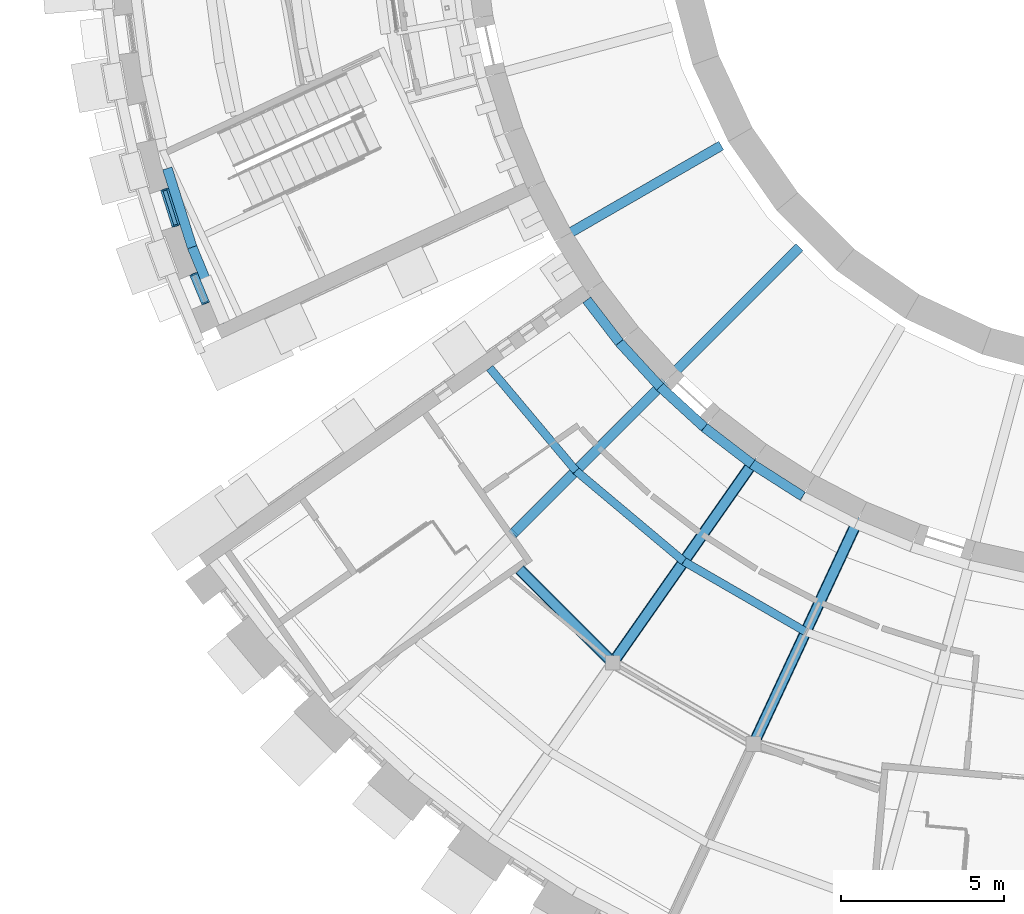
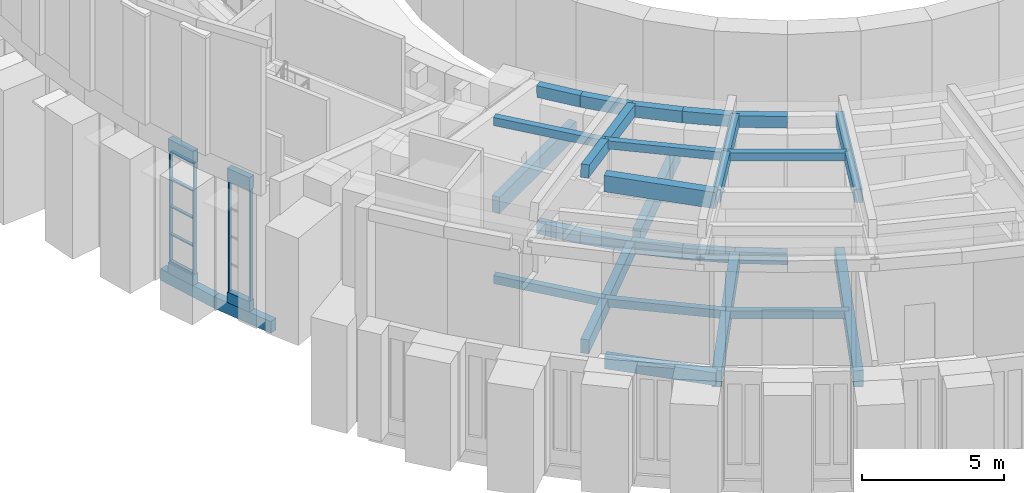
# One storey, part 4 of 66: 32 beams, 9 members, 2 elements without a shape of their own.
"""IFC4 building model written with IfcOpenShell, lengths in metres."""

from ifc_helpers import new_model, si_unit, direction, frame, origin, origin_2d, place, context, subcontext, project, spatial, rectangle, extrude, material, layer, layer_set, material_profile, profile_set, type_object, element, aggregate, save


model = new_model("IFC4")

# Units and contexts
model_context = context("Model", 3, precision=1e-05, world=origin(), true_north=direction((0.0, 1.0)))
body_context = subcontext(model_context, "Body", "Model", "MODEL_VIEW")
ifc_project = project(units=[si_unit("LENGTHUNIT", "METRE"), si_unit("AREAUNIT", "SQUARE_METRE"), si_unit("VOLUMEUNIT", "CUBIC_METRE"), si_unit("PLANEANGLEUNIT", "RADIAN"), si_unit("MASSUNIT", "GRAM", prefix="KILO")], contexts=[model_context])

# Site, building, storey
site_placement = place(None, origin())
site = spatial("IfcSite", under=ifc_project, at=site_placement, CompositionType="ELEMENT")
building_placement = place(site_placement, origin())
building = spatial("IfcBuilding", under=site, at=building_placement, Name="Volute Hill Aquarium", CompositionType="ELEMENT")
storey_placement = place(building_placement, frame((0.0, 0.0, 4.60009765625)))
storey = spatial("IfcBuildingStorey", under=building, at=storey_placement, Name="L02", CompositionType="ELEMENT", Elevation=4.60009765625)

# Beams
ifc_material_1 = material(Name="Concrete C35/45", Category="concrete")
ifc_material_profile_1 = material_profile(ifc_material_1, rectangle(XDim=0.300048828125, YDim=0.550048828125, at=origin_2d()), Name="RC beam 300x550")
ifc_profile_set_1 = profile_set([ifc_material_profile_1], Name="Concrete C35/45")
beam_type_1 = type_object("IfcBeamType", Name="Beam 300x550 C35/45", PredefinedType="BEAM", material=ifc_profile_set_1)
beam_1_placement = place(storey_placement, frame((-19.26318359375, -20.568603515625, -0.53515625), z_axis=(0.707076589398, -0.707136971686, 0.0), x_axis=(0.707136971686, 0.707076589398, 0.0)))
element("IfcBeam", 1, at=beam_1_placement, inside=storey, type_object=beam_type_1, Name="bm/S2/L02/ring1.9", PredefinedType="BEAM", context=body_context, shape_type="SweptSolid", body=[
    extrude(rectangle(XDim=0.300048828125, YDim=0.550048828125, at=origin_2d()), origin(), (0.0, 0.0, 1.0), 4.043212890625),
])
ifc_material_2 = material(Name="Concrete C35/45", Category="concrete")
ifc_material_profile_2 = material_profile(ifc_material_2, rectangle(XDim=0.300048828125, YDim=0.60009765625, at=origin_2d()), Name="RC beam 300x600")
ifc_profile_set_2 = profile_set([ifc_material_profile_2], Name="Concrete C35/45")
beam_type_2 = type_object("IfcBeamType", Name="Beam 300x600 C35/45", PredefinedType="BEAM", material=ifc_profile_set_2)
beam_2_placement = place(storey_placement, frame((-14.84912109375, -14.84912109375, -0.56005859375), z_axis=(-0.707106781187, -0.707106781187, 0.0), x_axis=(0.707106781187, -0.707106781187, 0.0)))
element("IfcBeam", 2, at=beam_2_placement, inside=storey, type_object=beam_type_2, Name="bm/S2/L02/rad1.1", PredefinedType="BEAM", context=body_context, shape_type="SweptSolid", body=[
    extrude(rectangle(XDim=0.300048828125, YDim=0.60009765625, at=origin_2d()), origin(), (0.0, 0.0, 1.0), 6.518310546875),
])
ifc_material_3 = material(Name="Concrete C35/45", Category="concrete")
ifc_material_profile_3 = material_profile(ifc_material_3, rectangle(XDim=0.35009765625, YDim=0.699951171875, at=origin_2d()), Name="RC beam 350x700")
ifc_profile_set_3 = profile_set([ifc_material_profile_3], Name="Concrete C35/45")
beam_type_3 = type_object("IfcBeamType", Name="Beam 350x700 C35/45", PredefinedType="BEAM", material=ifc_profile_set_3)
for number, where, z_axis, x_axis, name in (
    (3, (-12.045166015625, -17.2021484375, -0.610107421875), (-0.573570137327, -0.819156454877, 0.0), (0.819156454877, -0.573570137327, 0.0), "bm/S2/L02/rad2.3"),
    (4, (-8.875, -19.032470703125, -0.610107421875), (-0.422619898755, -0.906307023683, 0.0), (0.906307023683, -0.422619898755, 0.0), "bm/S2/L02/rad3.5"),
):
    element("IfcBeam", number, at=place(storey_placement, frame(where, z_axis=z_axis, x_axis=x_axis)), inside=storey, type_object=beam_type_3, Name=name, PredefinedType="BEAM", context=body_context, shape_type="SweptSolid", body=[
        extrude(rectangle(XDim=0.35009765625, YDim=0.699951171875, at=origin_2d()), origin(), (0.0, 0.0, 1.0), 7.60009765625),
    ])
beam_3_placement = place(storey_placement, frame((-19.26318359375, -20.568603515625, 7.1455078125), z_axis=(0.707076589398, -0.707136971686, 0.0), x_axis=(0.707136971686, 0.707076589398, 0.0)))
element("IfcBeam", 5, at=beam_3_placement, inside=storey, type_object=beam_type_3, Name="rb/S2/L02/ring1.9", PredefinedType="BEAM", context=body_context, shape_type="SweptSolid", body=[
    extrude(rectangle(XDim=0.35009765625, YDim=0.699951171875, at=origin_2d()), origin(), (0.0, 0.0, 1.0), 4.043212890625),
])

# Curtain wall, members
ifc_material_4 = material(Name="Aluminium", Category="aluminium")
ifc_layer_1 = layer(ifc_material_4, 0.25)
ifc_layer_set_1 = layer_set([ifc_layer_1], Name="Curtain wall niche S1 module 1193")
curtain_wall_type_1 = type_object("IfcCurtainWallType", Name="Curtain wall niche S1 module 1193", PredefinedType="NOTDEFINED", material=ifc_layer_set_1)
curtain_wall_1_placement = place(storey_placement, origin())
curtain_wall_1 = element("IfcCurtainWall", 6, at=curtain_wall_1_placement, inside=storey, type_object=curtain_wall_type_1, Name="Curtain wall CW S1 L02 9", PredefinedType="NOTDEFINED")
ifc_material_5 = material(Name="Aluminium", Category="aluminium")
ifc_material_profile_4 = material_profile(ifc_material_5, rectangle(XDim=0.14990234375, YDim=0.050048828125, at=origin_2d()), Name="Curtain wall mullion S1 50x150")
ifc_profile_set_4 = profile_set([ifc_material_profile_4], Name="Aluminium")
member_type_1 = type_object("IfcMemberType", Name="Curtain wall mullion S1 50x150", PredefinedType="MULLION", material=ifc_profile_set_4)
member_1_placement = place(storey_placement, frame((-30.1611328125, -8.91064453125, 0.449951171875), z_axis=(0.0, 0.0, 1.0), x_axis=(0.95371888454, 0.30069966623, 0.0)))
member_1 = element("IfcMember", 7, at=member_1_placement, type_object=member_type_1, Name="CW mullion 1", PredefinedType="MULLION", context=body_context, shape_type="SweptSolid", body=[
    extrude(rectangle(XDim=0.14990234375, YDim=0.050048828125, at=origin_2d()), origin(), (0.0, 0.0, 1.0), 4.760009765625),
])
member_2_placement = place(storey_placement, frame((-29.8173828125, -10.000732421875, 0.449951171875), z_axis=(0.0, 0.0, 1.0), x_axis=(0.95371888454, 0.30069966623, 0.0)))
member_2 = element("IfcMember", 8, at=member_2_placement, type_object=member_type_1, Name="CW mullion 2", PredefinedType="MULLION", context=body_context, shape_type="SweptSolid", body=[
    extrude(rectangle(XDim=0.14990234375, YDim=0.050048828125, at=origin_2d()), origin(), (0.0, 0.0, 1.0), 4.760009765625),
])

ifc_material_6 = material(Name="Aluminium", Category="aluminium")
ifc_layer_2 = layer(ifc_material_6, 0.25)
ifc_layer_set_2 = layer_set([ifc_layer_2], Name="Curtain wall niche S1 module 993")
curtain_wall_type_2 = type_object("IfcCurtainWallType", Name="Curtain wall niche S1 module 993", PredefinedType="NOTDEFINED", material=ifc_layer_set_2)
curtain_wall_2_placement = place(storey_placement, origin())
curtain_wall_2 = element("IfcCurtainWall", 9, at=curtain_wall_2_placement, inside=storey, type_object=curtain_wall_type_2, Name="Curtain wall CW S1 L02 10", PredefinedType="NOTDEFINED")
member_3_placement = place(storey_placement, frame((-29.269775390625, -11.50537109375, 0.449951171875), z_axis=(0.0, 0.0, 1.0), x_axis=(0.923885219671, 0.382669702059, 0.0)))
member_3 = element("IfcMember", 10, at=member_3_placement, type_object=member_type_1, Name="CW mullion 1", PredefinedType="MULLION", context=body_context, shape_type="SweptSolid", body=[
    extrude(rectangle(XDim=0.14990234375, YDim=0.050048828125, at=origin_2d()), origin(), (0.0, 0.0, 1.0), 4.760009765625),
])
member_4_placement = place(storey_placement, frame((-28.9091796875, -12.37646484375, 0.449951171875), z_axis=(0.0, 0.0, 1.0), x_axis=(0.923885219671, 0.382669702059, 0.0)))
member_4 = element("IfcMember", 11, at=member_4_placement, type_object=member_type_1, Name="CW mullion 2", PredefinedType="MULLION", context=body_context, shape_type="SweptSolid", body=[
    extrude(rectangle(XDim=0.14990234375, YDim=0.050048828125, at=origin_2d()), origin(), (0.0, 0.0, 1.0), 4.760009765625),
])
aggregate(curtain_wall_2, [member_3, member_4])

# Member
ifc_material_7 = material(Name="Aluminium", Category="aluminium")
ifc_material_profile_5 = material_profile(ifc_material_7, rectangle(XDim=0.1201171875, YDim=0.050048828125, at=origin_2d()), Name="Curtain wall transom S1 50x120")
ifc_profile_set_5 = profile_set([ifc_material_profile_5], Name="Aluminium")
member_type_2 = type_object("IfcMemberType", Name="Curtain wall transom S1 50x120", PredefinedType="USERDEFINED", material=ifc_profile_set_5)
member_5_placement = place(storey_placement, frame((-30.153564453125, -8.934326171875, 0.474853515625), z_axis=(0.300639603165, -0.953737819848, 0.0), x_axis=(0.953737819848, 0.300639603165, 0.0)))
member_5 = element("IfcMember", 12, at=member_5_placement, type_object=member_type_2, Name="CW transom 1.1", ObjectType="TRANSOM", PredefinedType="USERDEFINED", context=body_context, shape_type="SweptSolid", body=[
    extrude(rectangle(XDim=0.1201171875, YDim=0.050048828125, at=origin_2d()), origin(), (0.0, 0.0, 1.0), 1.093017578125),
])

member_6_placement = place(storey_placement, frame((-30.153564453125, -8.934326171875, 1.639892578125), z_axis=(0.300639603165, -0.953737819848, 0.0), x_axis=(0.953737819848, 0.300639603165, 0.0)))
member_6 = element("IfcMember", 13, at=member_6_placement, type_object=member_type_2, Name="CW transom 1.2", ObjectType="TRANSOM", PredefinedType="USERDEFINED", context=body_context, shape_type="SweptSolid", body=[
    extrude(rectangle(XDim=0.1201171875, YDim=0.050048828125, at=origin_2d()), origin(), (0.0, 0.0, 1.0), 1.093017578125),
])

member_7_placement = place(storey_placement, frame((-30.153564453125, -8.934326171875, 2.829833984375), z_axis=(0.300639603165, -0.953737819848, 0.0), x_axis=(0.953737819848, 0.300639603165, 0.0)))
member_7 = element("IfcMember", 14, at=member_7_placement, type_object=member_type_2, Name="CW transom 1.3", ObjectType="TRANSOM", PredefinedType="USERDEFINED", context=body_context, shape_type="SweptSolid", body=[
    extrude(rectangle(XDim=0.1201171875, YDim=0.050048828125, at=origin_2d()), origin(), (0.0, 0.0, 1.0), 1.093017578125),
])

member_8_placement = place(storey_placement, frame((-30.153564453125, -8.934326171875, 4.02001953125), z_axis=(0.300639603165, -0.953737819848, 0.0), x_axis=(0.953737819848, 0.300639603165, 0.0)))
member_8 = element("IfcMember", 15, at=member_8_placement, type_object=member_type_2, Name="CW transom 1.4", ObjectType="TRANSOM", PredefinedType="USERDEFINED", context=body_context, shape_type="SweptSolid", body=[
    extrude(rectangle(XDim=0.1201171875, YDim=0.050048828125, at=origin_2d()), origin(), (0.0, 0.0, 1.0), 1.093017578125),
])

member_9_placement = place(storey_placement, frame((-30.153564453125, -8.934326171875, 5.184814453125), z_axis=(0.300639603165, -0.953737819848, 0.0), x_axis=(0.953737819848, 0.300639603165, 0.0)))
member_9 = element("IfcMember", 16, at=member_9_placement, type_object=member_type_2, Name="CW transom 1.5", ObjectType="TRANSOM", PredefinedType="USERDEFINED", context=body_context, shape_type="SweptSolid", body=[
    extrude(rectangle(XDim=0.1201171875, YDim=0.050048828125, at=origin_2d()), origin(), (0.0, 0.0, 1.0), 1.093017578125),
])

aggregate(curtain_wall_1, [member_1, member_2, member_5, member_6, member_7, member_8, member_9])

# Beams
ifc_material_8 = material(Name="Concrete C35/45", Category="concrete")
ifc_material_profile_6 = material_profile(ifc_material_8, rectangle(XDim=0.300048828125, YDim=0.5, at=origin_2d()), Name="RC edge beam 300x500")
ifc_profile_set_6 = profile_set([ifc_material_profile_6], Name="Concrete C35/45")
beam_type_4 = type_object("IfcBeamType", Name="Edge beam 300x500 C35/45", PredefinedType="BEAM", material=ifc_profile_set_6)
beam_4_placement = place(storey_placement, frame((-30.080810546875, -8.251953125, -0.47021484375), z_axis=(0.300619958579, -0.953744012041, 0.0), x_axis=(0.953744012041, 0.300619958579, 0.0)))
element("IfcBeam", 17, at=beam_4_placement, inside=storey, type_object=beam_type_4, Name="bm/S1/L02/edgeO.26", PredefinedType="BEAM", context=body_context, shape_type="SweptSolid", body=[
    extrude(rectangle(XDim=0.300048828125, YDim=0.5, at=origin_2d()), origin(), (0.0, 0.0, 1.0), 2.536376953125),
])
beam_5_placement = place(storey_placement, frame((-29.318359375, -10.6708984375, -0.47021484375), z_axis=(0.382696651633, -0.9238740568, 0.0), x_axis=(0.9238740568, 0.382696651633, 0.0)))
element("IfcBeam", 18, at=beam_5_placement, inside=storey, type_object=beam_type_4, Name="bm/S1/L02/edgeO.27", PredefinedType="BEAM", context=body_context, shape_type="SweptSolid", body=[
    extrude(rectangle(XDim=0.300048828125, YDim=0.5, at=origin_2d()), origin(), (0.0, 0.0, 1.0), 2.521728515625),
])
beam_6_placement = place(storey_placement, frame((-17.203369140625, -12.2900390625, -0.510009765625), z_axis=(0.608820957391, -0.793307659009, 0.0), x_axis=(0.793307659009, 0.608820957391, 0.0)))
element("IfcBeam", 19, at=beam_6_placement, inside=storey, type_object=beam_type_4, Name="bm/S2/L02/edgeD.12", PredefinedType="BEAM", context=body_context, shape_type="SweptSolid", body=[
    extrude(rectangle(XDim=0.300048828125, YDim=0.5, at=origin_2d()), origin(), (0.0, 0.0, 1.0), 1.64501953125),
])
for number, where, z_axis, x_axis, name in (
    (20, (-16.201904296875, -13.594970703125, -0.510009765625), (0.675604786356, -0.73726397759, 0.0), (0.73726397759, 0.675604786356, 0.0), "bm/S2/L02/edgeD.13"),
    (21, (-14.955322265625, -14.955322265625, -0.510009765625), (0.73726397759, -0.675604786356, 0.0), (0.675604786356, 0.73726397759, 0.0), "bm/S2/L02/edgeD.14"),
    (22, (-13.594970703125, -16.201904296875, -0.510009765625), (0.79334647843, -0.608770371457, 0.0), (0.608770371457, 0.79334647843, 0.0), "bm/S2/L02/edgeD.15"),
):
    element("IfcBeam", number, at=place(storey_placement, frame(where, z_axis=z_axis, x_axis=x_axis)), inside=storey, type_object=beam_type_4, Name=name, PredefinedType="BEAM", context=body_context, shape_type="SweptSolid", body=[
        extrude(rectangle(XDim=0.300048828125, YDim=0.5, at=origin_2d()), origin(), (0.0, 0.0, 1.0), 1.84521484375),
    ])
beam_7_placement = place(storey_placement, frame((-12.131103515625, -17.3251953125, -0.510009765625), z_axis=(0.843334400185, -0.537389141558, 0.0), x_axis=(0.537389141558, 0.843334400185, 0.0)))
element("IfcBeam", 23, at=beam_7_placement, inside=storey, type_object=beam_type_4, Name="bm/S2/L02/edgeD.16", PredefinedType="BEAM", context=body_context, shape_type="SweptSolid", body=[
    extrude(rectangle(XDim=0.300048828125, YDim=0.5, at=origin_2d()), origin(), (0.0, 0.0, 1.0), 1.844970703125),
])
beam_8_placement = place(storey_placement, frame((-17.203369140625, -12.2900390625, 5.33251953125), z_axis=(0.608782228664, -0.793257194591, 0.011279241682), x_axis=(0.793307659009, 0.608820957391, 0.0)))
element("IfcBeam", 24, at=beam_8_placement, inside=storey, type_object=beam_type_4, Name="rb/S2/L02/edgeD.12", PredefinedType="BEAM", context=body_context, shape_type="SweptSolid", body=[
    extrude(rectangle(XDim=0.300048828125, YDim=0.5, at=origin_2d()), origin(), (0.0, 0.0, 1.0), 1.64501953125),
])
for number, where, z_axis, x_axis, name in (
    (25, (-16.201904296875, -13.594970703125, 5.35107421875), (0.675562061246, -0.737217353166, -0.011246136938), (0.73726397759, 0.675604786356, 0.0), "rb/S2/L02/edgeD.13"),
    (26, (-14.955322265625, -14.955322265625, 5.330322265625), (0.737217353166, -0.675562061246, 0.011246136938), (0.675604786356, 0.73726397759, 0.0), "rb/S2/L02/edgeD.14"),
    (27, (-13.594970703125, -16.201904296875, 5.35107421875), (0.793296309815, -0.608731874827, -0.01124586163), (0.608770371457, 0.79334647843, 0.0), "rb/S2/L02/edgeD.15"),
):
    element("IfcBeam", number, at=place(storey_placement, frame(where, z_axis=z_axis, x_axis=x_axis)), inside=storey, type_object=beam_type_4, Name=name, PredefinedType="BEAM", context=body_context, shape_type="SweptSolid", body=[
        extrude(rectangle(XDim=0.300048828125, YDim=0.5, at=origin_2d()), origin(), (0.0, 0.0, 1.0), 1.84521484375),
    ])
beam_9_placement = place(storey_placement, frame((-12.131103515625, -17.3251953125, 5.330322265625), z_axis=(0.843281057084, -0.537355150293, 0.011247275985), x_axis=(0.537389141558, 0.843334400185, 0.0)))
element("IfcBeam", 28, at=beam_9_placement, inside=storey, type_object=beam_type_4, Name="rb/S2/L02/edgeD.16", PredefinedType="BEAM", context=body_context, shape_type="SweptSolid", body=[
    extrude(rectangle(XDim=0.300048828125, YDim=0.5, at=origin_2d()), origin(), (0.0, 0.0, 1.0), 1.844970703125),
])
ifc_material_9 = material(Name="Concrete C35/45", Category="concrete")
ifc_material_profile_7 = material_profile(ifc_material_9, rectangle(XDim=0.300048828125, YDim=0.699951171875, at=origin_2d()), Name="RC beam 300x700")
ifc_profile_set_7 = profile_set([ifc_material_profile_7], Name="Concrete C35/45")
beam_type_5 = type_object("IfcBeamType", Name="Gallery beam RC 300x700", PredefinedType="BEAM", material=ifc_profile_set_7)
for number, where, z_axis, x_axis, name in (
    (29, (-13.076904296875, -7.550048828125, -0.650146484375), (-0.866028230842, -0.499995103361, 0.0), (0.499995103361, -0.866028230842, 0.0), "bm/DR/L02/14"),
    (30, (-10.67724609375, -10.67724609375, -0.650146484375), (-0.707106781187, -0.707106781187, 0.0), (0.707106781187, -0.707106781187, 0.0), "bm/DR/L02/15"),
):
    element("IfcBeam", number, at=place(storey_placement, frame(where, z_axis=z_axis, x_axis=x_axis)), inside=storey, type_object=beam_type_5, Name=name, PredefinedType="BEAM", context=body_context, shape_type="SweptSolid", body=[
        extrude(rectangle(XDim=0.300048828125, YDim=0.699951171875, at=origin_2d()), origin(), (0.0, 0.0, 1.0), 5.39990234375),
    ])
ifc_material_10 = material(Name="Concrete C35/45", Category="concrete")
ifc_material_profile_8 = material_profile(ifc_material_10, rectangle(XDim=0.25, YDim=0.35009765625, at=origin_2d()), Name="RC joist 250x350")
ifc_profile_set_8 = profile_set([ifc_material_profile_8], Name="Concrete C35/45")
beam_type_6 = type_object("IfcBeamType", Name="Joist 250x350 C35/45", PredefinedType="BEAM", material=ifc_profile_set_8)
beam_10_placement = place(storey_placement, frame((-20.185791015625, -14.37841796875, -0.43505859375), z_axis=(0.642790576799, -0.766041953406, 0.0), x_axis=(0.766041953406, 0.642790576799, 0.0)))
element("IfcBeam", 31, at=beam_10_placement, inside=storey, type_object=beam_type_6, Name="bm/S2/L02/jst1", PredefinedType="BEAM", context=body_context, shape_type="SweptSolid", body=[
    extrude(rectangle(XDim=0.25, YDim=0.35009765625, at=origin_2d()), origin(), (0.0, 0.0, 1.0), 4.1220703125),
])
beam_11_placement = place(storey_placement, frame((-17.5361328125, -17.5361328125, -0.43505859375), z_axis=(0.766031856684, -0.642802609317, 0.0), x_axis=(0.642802609317, 0.766031856684, 0.0)))
element("IfcBeam", 32, at=beam_11_placement, inside=storey, type_object=beam_type_6, Name="bm/S2/L02/jst2", PredefinedType="BEAM", context=body_context, shape_type="SweptSolid", body=[
    extrude(rectangle(XDim=0.25, YDim=0.35009765625, at=origin_2d()), origin(), (0.0, 0.0, 1.0), 4.322998046875),
])
beam_12_placement = place(storey_placement, frame((-14.224609375, -20.31494140625, -0.43505859375), z_axis=(0.866027580996, -0.49999622894, 0.0), x_axis=(0.49999622894, 0.866027580996, 0.0)))
element("IfcBeam", 33, at=beam_12_placement, inside=storey, type_object=beam_type_6, Name="bm/S2/L02/jst3", PredefinedType="BEAM", context=body_context, shape_type="SweptSolid", body=[
    extrude(rectangle(XDim=0.25, YDim=0.35009765625, at=origin_2d()), origin(), (0.0, 0.0, 1.0), 4.32275390625),
])
beam_13_placement = place(storey_placement, frame((-20.185791015625, -14.37841796875, 6.343505859375), z_axis=(0.642790576799, -0.766041953406, 0.0), x_axis=(0.766041953406, 0.642790576799, 0.0)))
element("IfcBeam", 34, at=beam_13_placement, inside=storey, type_object=beam_type_6, Name="rb/S2/L02/jst1", PredefinedType="BEAM", context=body_context, shape_type="SweptSolid", body=[
    extrude(rectangle(XDim=0.25, YDim=0.35009765625, at=origin_2d()), origin(), (0.0, 0.0, 1.0), 4.1220703125),
])
beam_14_placement = place(storey_placement, frame((-17.5361328125, -17.5361328125, 6.343505859375), z_axis=(0.766031856684, -0.642802609317, 0.0), x_axis=(0.642802609317, 0.766031856684, 0.0)))
element("IfcBeam", 35, at=beam_14_placement, inside=storey, type_object=beam_type_6, Name="rb/S2/L02/jst2", PredefinedType="BEAM", context=body_context, shape_type="SweptSolid", body=[
    extrude(rectangle(XDim=0.25, YDim=0.35009765625, at=origin_2d()), origin(), (0.0, 0.0, 1.0), 4.322998046875),
])
beam_15_placement = place(storey_placement, frame((-14.224609375, -20.31494140625, 6.343505859375), z_axis=(0.866027580996, -0.49999622894, 0.0), x_axis=(0.49999622894, 0.866027580996, 0.0)))
element("IfcBeam", 36, at=beam_15_placement, inside=storey, type_object=beam_type_6, Name="rb/S2/L02/jst3", PredefinedType="BEAM", context=body_context, shape_type="SweptSolid", body=[
    extrude(rectangle(XDim=0.25, YDim=0.35009765625, at=origin_2d()), origin(), (0.0, 0.0, 1.0), 4.32275390625),
])
ifc_material_11 = material(Name="Concrete C35/45", Category="concrete")
ifc_material_profile_9 = material_profile(ifc_material_11, rectangle(XDim=0.25, YDim=0.550048828125, at=origin_2d()), Name="RC beam 250x550")
ifc_profile_set_9 = profile_set([ifc_material_profile_9], Name="Concrete C35/45")
beam_type_7 = type_object("IfcBeamType", Name="Niche head beam RC 250x550 C35/45", PredefinedType="BEAM", material=ifc_profile_set_9)
beam_16_placement = place(storey_placement, frame((-30.168701171875, -8.88671875, 5.48486328125), z_axis=(0.300651374737, -0.953734109104, 0.0), x_axis=(0.953734109104, 0.300651374737, 0.0)))
element("IfcBeam", 37, at=beam_16_placement, inside=storey, type_object=beam_type_7, Name="Niche head beam OWB S1 L02 9", PredefinedType="BEAM", context=body_context, shape_type="SweptSolid", body=[
    extrude(rectangle(XDim=0.25, YDim=0.550048828125, at=origin_2d()), origin(), (0.0, 0.0, 1.0), 1.19287109375),
])
beam_17_placement = place(storey_placement, frame((-29.279296875, -11.482421875, 5.48486328125), z_axis=(0.382728331332, -0.923860933472, 0.0), x_axis=(0.923860933472, 0.382728331332, 0.0)))
element("IfcBeam", 38, at=beam_17_placement, inside=storey, type_object=beam_type_7, Name="Niche head beam OWB S1 L02 10", PredefinedType="BEAM", context=body_context, shape_type="SweptSolid", body=[
    extrude(rectangle(XDim=0.25, YDim=0.550048828125, at=origin_2d()), origin(), (0.0, 0.0, 1.0), 0.99267578125),
])
ifc_material_12 = material(Name="Concrete C35/45", Category="concrete")
ifc_material_profile_10 = material_profile(ifc_material_12, rectangle(XDim=0.25, YDim=0.449951171875, at=origin_2d()), Name="RC beam 250x450")
ifc_profile_set_10 = profile_set([ifc_material_profile_10], Name="Concrete C35/45")
beam_type_8 = type_object("IfcBeamType", Name="Niche sill beam RC 250x450 C35/45", PredefinedType="BEAM", material=ifc_profile_set_10)
beam_18_placement = place(storey_placement, frame((-30.168701171875, -8.88671875, 0.224853515625), z_axis=(0.300651374737, -0.953734109104, 0.0), x_axis=(0.953734109104, 0.300651374737, 0.0)))
element("IfcBeam", 39, at=beam_18_placement, inside=storey, type_object=beam_type_8, Name="Niche sill beam OWB S1 L02 9", PredefinedType="BEAM", context=body_context, shape_type="SweptSolid", body=[
    extrude(rectangle(XDim=0.25, YDim=0.449951171875, at=origin_2d()), origin(), (0.0, 0.0, 1.0), 1.19287109375),
])
beam_19_placement = place(storey_placement, frame((-29.279296875, -11.482421875, 0.224853515625), z_axis=(0.382728331332, -0.923860933472, 0.0), x_axis=(0.923860933472, 0.382728331332, 0.0)))
element("IfcBeam", 40, at=beam_19_placement, inside=storey, type_object=beam_type_8, Name="Niche sill beam OWB S1 L02 10", PredefinedType="BEAM", context=body_context, shape_type="SweptSolid", body=[
    extrude(rectangle(XDim=0.25, YDim=0.449951171875, at=origin_2d()), origin(), (0.0, 0.0, 1.0), 0.99267578125),
])
ifc_material_13 = material(Name="Concrete C35/45", Category="concrete")
ifc_material_profile_11 = material_profile(ifc_material_13, rectangle(XDim=0.300048828125, YDim=0.5, at=origin_2d()), Name="RC rib 300x500")
ifc_profile_set_11 = profile_set([ifc_material_profile_11], Name="Concrete C35/45")
beam_type_9 = type_object("IfcBeamType", Name="Roof rib 300x500 C35/45", PredefinedType="BEAM", material=ifc_profile_set_11)
beam_20_placement = place(storey_placement, frame((-14.84912109375, -14.84912109375, 5.28369140625), z_axis=(-0.684843020563, -0.684843020563, 0.248957977124), x_axis=(0.707106781187, -0.707106781187, 0.0)))
element("IfcBeam", 41, at=beam_20_placement, inside=storey, type_object=beam_type_9, Name="rb/S2/L02/rib1.1", PredefinedType="BEAM", context=body_context, shape_type="SweptSolid", body=[
    extrude(rectangle(XDim=0.300048828125, YDim=0.5, at=origin_2d()), origin(), (0.0, 0.0, 1.0), 6.730224609375),
])
for number, where, z_axis, x_axis, name in (
    (42, (-12.045166015625, -17.2021484375, 5.28369140625), (-0.555510460007, -0.793364140586, 0.248960778548), (0.819156454877, -0.573570137327, 0.0), "rb/S2/L02/rib2.3"),
    (43, (-8.875, -19.032470703125, 5.28369140625), (-0.409313140989, -0.877770724135, 0.248960455624), (0.906307023683, -0.422619898755, 0.0), "rb/S2/L02/rib3.5"),
):
    element("IfcBeam", number, at=place(storey_placement, frame(where, z_axis=z_axis, x_axis=x_axis)), inside=storey, type_object=beam_type_9, Name=name, PredefinedType="BEAM", context=body_context, shape_type="SweptSolid", body=[
        extrude(rectangle(XDim=0.300048828125, YDim=0.5, at=origin_2d()), origin(), (0.0, 0.0, 1.0), 7.84716796875),
    ])

save(model, "model.ifc")
